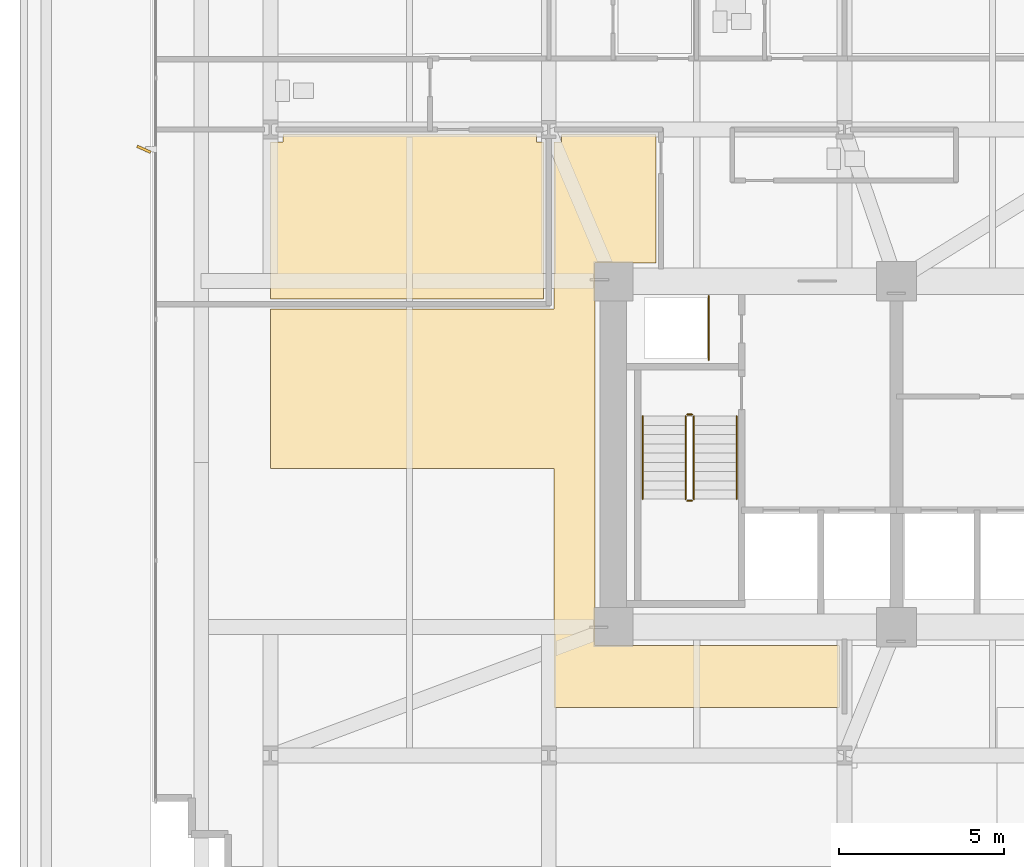
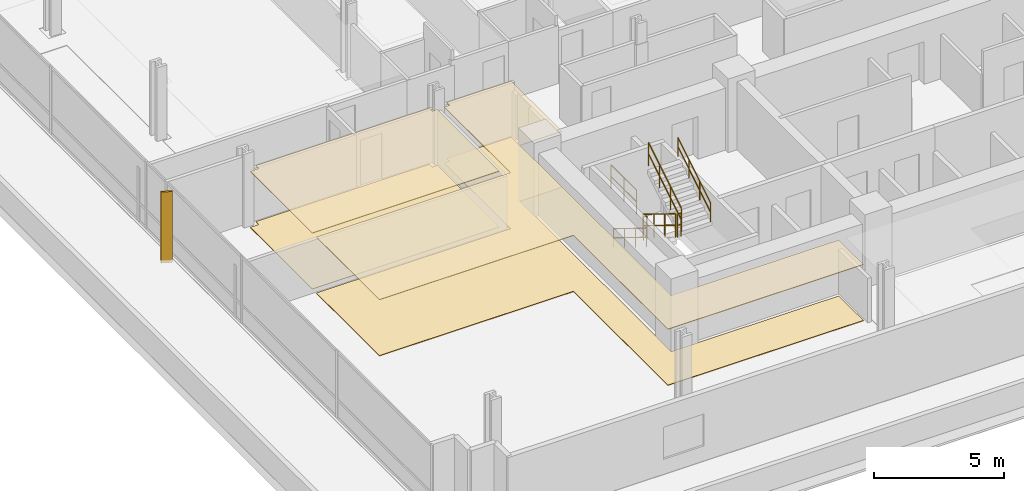
# One storey, part 22 of 25: 7 railings, 4 coverings, 1 shading device.
"""IFC4 building model written with IfcOpenShell, lengths in metres."""

from ifc_helpers import new_model, si_unit, direction, frame, origin, origin_2d, place, context, subcontext, project, spatial, polyline, rectangle, circle, outline, extrude, material, layer, layer_set, type_object, element, save


model = new_model("IFC4")

# Units and contexts
model_context = context("Model", 3, precision=1e-05, world=origin(), true_north=direction((0.0, 1.0)))
body_context = subcontext(model_context, "Body", "Model", "MODEL_VIEW")
ifc_project = project(units=[si_unit("LENGTHUNIT", "METRE"), si_unit("AREAUNIT", "SQUARE_METRE"), si_unit("VOLUMEUNIT", "CUBIC_METRE"), si_unit("PLANEANGLEUNIT", "RADIAN"), si_unit("MASSUNIT", "GRAM", prefix="KILO")], contexts=[model_context])

# Site, building, storey
site_placement = place(None, origin())
site = spatial("IfcSite", under=ifc_project, at=site_placement, CompositionType="ELEMENT")
building_placement = place(site_placement, origin())
building = spatial("IfcBuilding", under=site, at=building_placement, Name="Solmavex Isthmus Hotel", CompositionType="ELEMENT")
storey_placement = place(building_placement, frame((0.0, 0.0, 26.39990234375)))
storey = spatial("IfcBuildingStorey", under=building, at=storey_placement, Name="L06", CompositionType="ELEMENT", Elevation=26.39990234375)

# Coverings
ifc_material_1 = material(Name="Gypsum plasterboard lining", Category="gypsum")
ifc_layer_1 = layer(ifc_material_1, 0.030029296875)
ifc_layer_set_1 = layer_set([ifc_layer_1], Name="Gypsum plasterboard lining")
covering_type_1 = type_object("IfcCoveringType", Name="COV-CEIL-GYP", PredefinedType="CEILING", material=ifc_layer_set_1)
covering_1_placement = place(storey_placement, frame((0.0, 0.0, 2.6201171875)))
element("IfcCovering", 1, at=covering_1_placement, inside=storey, type_object=covering_type_1, Name="Suspended Acoustic Ceiling L06-FL11", PredefinedType="CEILING", context=body_context, shape_type="SweptSolid", body=[
    extrude(outline(polyline([(-26.02001953125, 1.945068359375), (-26.02001953125, 1.719970703125), (-26.39990234375, 1.719970703125), (-26.39990234375, -3.044921875), (-18.10693359375, -3.044921875), (-18.10693359375, 1.719970703125), (-18.33203125, 1.719970703125), (-18.33203125, 1.945068359375), (-26.02001953125, 1.945068359375)])), origin(), (0.0, 0.0, 1.0), 0.030029296875),
])
covering_2_placement = place(storey_placement, frame((0.0, 0.0, 2.6201171875)))
element("IfcCovering", 2, at=covering_2_placement, inside=storey, type_object=covering_type_1, Name="Suspended Acoustic Ceiling L06-FL13", PredefinedType="CEILING", context=body_context, shape_type="SweptSolid", body=[
    extrude(outline(polyline([(-17.572021484375, 1.945068359375), (-17.572021484375, 1.719970703125), (-17.797119140625, 1.719970703125), (-17.797119140625, -3.35498046875), (-26.39990234375, -3.35498046875), (-26.39990234375, -8.195068359375), (-17.797119140625, -8.195068359375), (-17.797119140625, -15.445068359375), (-9.131103515625, -15.445068359375), (-9.131103515625, -13.554931640625), (-16.554931640625, -13.554931640625), (-16.554931640625, -1.945068359375), (-14.698974609375, -1.945068359375), (-14.698974609375, 1.945068359375), (-17.572021484375, 1.945068359375)])), origin(), (0.0, 0.0, 1.0), 0.030029296875),
])
ifc_material_2 = material(Name="Travertine natural stone", Category="masonry")
ifc_layer_2 = layer(ifc_material_2, 0.02490234375)
ifc_layer_set_2 = layer_set([ifc_layer_2], Name="Travertine natural stone")
covering_type_2 = type_object("IfcCoveringType", Name="COV-FLOR-STN", PredefinedType="FLOORING", material=ifc_layer_set_2)
covering_3_placement = place(storey_placement, origin())
element("IfcCovering", 3, at=covering_3_placement, inside=storey, type_object=covering_type_2, Name="Stone and Timber Floor Finish L06-FL11", PredefinedType="FLOORING", context=body_context, shape_type="SweptSolid", body=[
    extrude(outline(polyline([(-26.02001953125, 1.945068359375), (-26.02001953125, 1.719970703125), (-26.39990234375, 1.719970703125), (-26.39990234375, -3.044921875), (-18.10693359375, -3.044921875), (-18.10693359375, 1.719970703125), (-18.33203125, 1.719970703125), (-18.33203125, 1.945068359375), (-26.02001953125, 1.945068359375)])), origin(), (0.0, 0.0, 1.0), 0.025146484375),
])
covering_4_placement = place(storey_placement, origin())
element("IfcCovering", 4, at=covering_4_placement, inside=storey, type_object=covering_type_2, Name="Stone and Timber Floor Finish L06-FL13", PredefinedType="FLOORING", context=body_context, shape_type="SweptSolid", body=[
    extrude(outline(polyline([(-17.572021484375, 1.945068359375), (-17.572021484375, 1.719970703125), (-17.797119140625, 1.719970703125), (-17.797119140625, -3.35498046875), (-26.39990234375, -3.35498046875), (-26.39990234375, -8.195068359375), (-17.797119140625, -8.195068359375), (-17.797119140625, -15.445068359375), (-9.131103515625, -15.445068359375), (-9.131103515625, -13.554931640625), (-16.554931640625, -13.554931640625), (-16.554931640625, -1.945068359375), (-14.698974609375, -1.945068359375), (-14.698974609375, 1.945068359375), (-17.572021484375, 1.945068359375)])), origin(), (0.0, 0.0, 1.0), 0.025146484375),
])

# Railings
ifc_material_3 = material(Name="Clear low-E laminated glass", Category="glass")
ifc_layer_3 = layer(ifc_material_3, 0.080078125)
ifc_layer_set_3 = layer_set([ifc_layer_3], Name="Clear low-E laminated glass")
railing_type_1 = type_object("IfcRailingType", Name="RAIL-ATRIUM-1120", PredefinedType="BALUSTRADE", material=ifc_layer_set_3)
railing_1_placement = place(storey_placement, frame((-13.10009765625, -4.89990234375, 0.0)))
element("IfcRailing", 5, at=railing_1_placement, inside=storey, type_object=railing_type_1, Name="Guardrail Balustrade L06-RSW-01", PredefinedType="BALUSTRADE", context=body_context, shape_type="SweptSolid", body=[
    extrude(circle(Radius=0.02392578125, at=origin_2d()), frame((0.0, 0.0, 1.1259765625), z_axis=(0.0, 1.0, 0.0), x_axis=(-1.0, 0.0, 0.0)), (0.0, 0.0, 1.0), 1.949951171875),
    extrude(circle(Radius=0.02392578125, at=origin_2d()), frame((0.0, 0.0, 0.574951171875), z_axis=(0.0, 1.0, 0.0), x_axis=(-1.0, 0.0, 0.0)), (0.0, 0.0, 1.0), 1.949951171875),
    extrude(circle(Radius=0.02099609375, at=origin_2d()), origin(), (0.0, 0.0, 1.0), 1.101806640625),
    extrude(circle(Radius=0.02099609375, at=origin_2d()), frame((0.0, 0.97509765625, 0.0)), (0.0, 0.0, 1.0), 1.101806640625),
    extrude(circle(Radius=0.02099609375, at=origin_2d()), frame((0.0, 1.949951171875, 0.0)), (0.0, 0.0, 1.0), 1.101806640625),
])
ifc_material_4 = material(Name="Stainless steel 316", Category="steel")
ifc_layer_4 = layer(ifc_material_4, 0.06005859375)
ifc_layer_set_4 = layer_set([ifc_layer_4], Name="Stainless steel 316")
railing_type_2 = type_object("IfcRailingType", Name="RAIL-STAIR-GD", PredefinedType="GUARDRAIL", material=ifc_layer_set_4)
railing_2_placement = place(storey_placement, frame((-13.800048828125, -6.60009765625, 0.172607421875)))
element("IfcRailing", 6, at=railing_2_placement, inside=storey, type_object=railing_type_2, Name="L06 ST-1 stair guard 1", PredefinedType="GUARDRAIL", context=body_context, shape_type="SweptSolid", body=[
    extrude(circle(Radius=0.02392578125, at=origin_2d()), frame((0.0, 0.0, 1.09619140625), z_axis=(0.0, -0.851400495292, 0.524516154772), x_axis=(1.0, 0.0, 0.0)), (0.0, 0.0, 1.0), 2.9599609375),
    extrude(circle(Radius=0.02392578125, at=origin_2d()), frame((0.0, 0.0, 0.56005859375), z_axis=(0.0, -0.851400495292, 0.524516154772), x_axis=(1.0, 0.0, 0.0)), (0.0, 0.0, 1.0), 2.9599609375),
    extrude(circle(Radius=0.02099609375, at=origin_2d()), origin(), (0.0, 0.0, 1.0), 1.072021484375),
    extrude(circle(Radius=0.02099609375, at=origin_2d()), frame((0.0, -0.840087890625, 0.517578125)), (0.0, 0.0, 1.0), 1.072021484375),
    extrude(circle(Radius=0.02099609375, at=origin_2d()), frame((0.0, -1.679931640625, 1.034912109375)), (0.0, 0.0, 1.0), 1.072021484375),
    extrude(circle(Radius=0.02099609375, at=origin_2d()), frame((0.0, -2.52001953125, 1.552490234375)), (0.0, 0.0, 1.0), 1.072021484375),
])
railing_3_placement = place(storey_placement, frame((-13.75, -9.169921875, 1.72509765625)))
element("IfcRailing", 7, at=railing_3_placement, inside=storey, type_object=railing_type_2, Name="L06 ST-1 stair guard 2", PredefinedType="GUARDRAIL", context=body_context, shape_type="SweptSolid", body=[
    extrude(circle(Radius=0.02392578125, at=origin_2d()), frame((0.0, 0.0, 1.09619140625), z_axis=(1.0, 0.0, 0.0), x_axis=(0.0, 1.0, 0.0)), (0.0, 0.0, 1.0), 0.14990234375),
    extrude(circle(Radius=0.02392578125, at=origin_2d()), frame((0.0, 0.0, 0.56005859375), z_axis=(1.0, 0.0, 0.0), x_axis=(0.0, 1.0, 0.0)), (0.0, 0.0, 1.0), 0.14990234375),
    extrude(circle(Radius=0.02099609375, at=origin_2d()), origin(), (0.0, 0.0, 1.0), 1.072021484375),
    extrude(circle(Radius=0.02099609375, at=origin_2d()), frame((0.14990234375, 0.0, 0.0)), (0.0, 0.0, 1.0), 1.072021484375),
])
railing_4_placement = place(storey_placement, frame((-13.550048828125, -9.1201171875, 1.897705078125)))
element("IfcRailing", 8, at=railing_4_placement, inside=storey, type_object=railing_type_2, Name="L06 ST-1 stair guard 3", PredefinedType="GUARDRAIL", context=body_context, shape_type="SweptSolid", body=[
    extrude(circle(Radius=0.02392578125, at=origin_2d()), frame((0.0, 0.0, 1.09619140625), z_axis=(0.0, 0.851400495292, 0.524516154772), x_axis=(-1.0, 0.0, 0.0)), (0.0, 0.0, 1.0), 2.9599609375),
    extrude(circle(Radius=0.02392578125, at=origin_2d()), frame((0.0, 0.0, 0.56005859375), z_axis=(0.0, 0.851400495292, 0.524516154772), x_axis=(-1.0, 0.0, 0.0)), (0.0, 0.0, 1.0), 2.9599609375),
    extrude(circle(Radius=0.02099609375, at=origin_2d()), origin(), (0.0, 0.0, 1.0), 1.072021484375),
    extrude(circle(Radius=0.02099609375, at=origin_2d()), frame((0.0, 0.840087890625, 0.517578125)), (0.0, 0.0, 1.0), 1.072021484375),
    extrude(circle(Radius=0.02099609375, at=origin_2d()), frame((0.0, 1.679931640625, 1.034912109375)), (0.0, 0.0, 1.0), 1.072021484375),
    extrude(circle(Radius=0.02099609375, at=origin_2d()), frame((0.0, 2.52001953125, 1.552490234375)), (0.0, 0.0, 1.0), 1.072021484375),
])
railing_5_placement = place(storey_placement, frame((-13.75, -6.550048828125, 0.0)))
element("IfcRailing", 9, at=railing_5_placement, inside=storey, type_object=railing_type_2, Name="L06 ST-1 stair guard 4", PredefinedType="GUARDRAIL", context=body_context, shape_type="SweptSolid", body=[
    extrude(circle(Radius=0.02392578125, at=origin_2d()), frame((0.0, 0.0, 1.09619140625), z_axis=(1.0, 0.0, 0.0), x_axis=(0.0, 1.0, 0.0)), (0.0, 0.0, 1.0), 0.14990234375),
    extrude(circle(Radius=0.02392578125, at=origin_2d()), frame((0.0, 0.0, 0.56005859375), z_axis=(1.0, 0.0, 0.0), x_axis=(0.0, 1.0, 0.0)), (0.0, 0.0, 1.0), 0.14990234375),
    extrude(circle(Radius=0.02099609375, at=origin_2d()), origin(), (0.0, 0.0, 1.0), 1.072021484375),
    extrude(circle(Radius=0.02099609375, at=origin_2d()), frame((0.14990234375, 0.0, 0.0)), (0.0, 0.0, 1.0), 1.072021484375),
])
ifc_layer_5 = layer(ifc_material_4, 0.050048828125)
ifc_layer_set_5 = layer_set([ifc_layer_5], Name="Stainless steel 316")
railing_type_3 = type_object("IfcRailingType", Name="RAIL-STAIR-HR", PredefinedType="HANDRAIL", material=ifc_layer_set_5)
railing_6_placement = place(storey_placement, frame((-15.10009765625, -6.60009765625, 0.172607421875)))
element("IfcRailing", 10, at=railing_6_placement, inside=storey, type_object=railing_type_3, Name="L06 ST-1 stair handrail 1", PredefinedType="HANDRAIL", context=body_context, shape_type="SweptSolid", body=[
    extrude(circle(Radius=0.02392578125, at=origin_2d()), frame((0.0, 0.0, 0.8759765625), z_axis=(0.0, -0.851400495292, 0.524516154772), x_axis=(1.0, 0.0, 0.0)), (0.0, 0.0, 1.0), 2.9599609375),
    extrude(circle(Radius=0.02392578125, at=origin_2d()), frame((0.0, 0.0, 0.449951171875), z_axis=(0.0, -0.851400495292, 0.524516154772), x_axis=(1.0, 0.0, 0.0)), (0.0, 0.0, 1.0), 2.9599609375),
    extrude(circle(Radius=0.02099609375, at=origin_2d()), origin(), (0.0, 0.0, 1.0), 0.851806640625),
    extrude(circle(Radius=0.02099609375, at=origin_2d()), frame((0.0, -0.840087890625, 0.517578125)), (0.0, 0.0, 1.0), 0.851806640625),
    extrude(circle(Radius=0.02099609375, at=origin_2d()), frame((0.0, -1.679931640625, 1.034912109375)), (0.0, 0.0, 1.0), 0.851806640625),
    extrude(circle(Radius=0.02099609375, at=origin_2d()), frame((0.0, -2.52001953125, 1.552490234375)), (0.0, 0.0, 1.0), 0.851806640625),
])
railing_7_placement = place(storey_placement, frame((-12.25, -9.1201171875, 1.897705078125)))
element("IfcRailing", 11, at=railing_7_placement, inside=storey, type_object=railing_type_3, Name="L06 ST-1 stair handrail 2", PredefinedType="HANDRAIL", context=body_context, shape_type="SweptSolid", body=[
    extrude(circle(Radius=0.02392578125, at=origin_2d()), frame((0.0, 0.0, 0.8759765625), z_axis=(0.0, 0.851400495292, 0.524516154772), x_axis=(-1.0, 0.0, 0.0)), (0.0, 0.0, 1.0), 2.9599609375),
    extrude(circle(Radius=0.02392578125, at=origin_2d()), frame((0.0, 0.0, 0.449951171875), z_axis=(0.0, 0.851400495292, 0.524516154772), x_axis=(-1.0, 0.0, 0.0)), (0.0, 0.0, 1.0), 2.9599609375),
    extrude(circle(Radius=0.02099609375, at=origin_2d()), origin(), (0.0, 0.0, 1.0), 0.851806640625),
    extrude(circle(Radius=0.02099609375, at=origin_2d()), frame((0.0, 0.840087890625, 0.517578125)), (0.0, 0.0, 1.0), 0.851806640625),
    extrude(circle(Radius=0.02099609375, at=origin_2d()), frame((0.0, 1.679931640625, 1.034912109375)), (0.0, 0.0, 1.0), 0.851806640625),
    extrude(circle(Radius=0.02099609375, at=origin_2d()), frame((0.0, 2.52001953125, 1.552490234375)), (0.0, 0.0, 1.0), 0.851806640625),
])

# Shading device
ifc_material_5 = material(Name="Aluminium alloy 6063-T6", Category="aluminium")
shading_device_type = type_object("IfcShadingDeviceType", Name="SHD-FIN-BRONZE", PredefinedType="USERDEFINED", material=ifc_material_5)
shading_device_placement = place(storey_placement, frame((-30.239990234375, 1.5, -0.139892578125), z_axis=(0.0, 0.0, 1.0), x_axis=(-0.913545457643, 0.406736643076, 0.0)))
element("IfcShadingDevice", 12, at=shading_device_placement, inside=storey, type_object=shading_device_type, Name="Anodised Aluminium Solar Fin L06-W1", ObjectType="SOLAR_FIN", PredefinedType="USERDEFINED", context=body_context, shape_type="SweptSolid", body=[
    extrude(rectangle(XDim=0.449951171875, YDim=0.080078125, at=origin_2d()), origin(), (0.0, 0.0, 1.0), 3.330078125),
])

save(model, "model.ifc")
